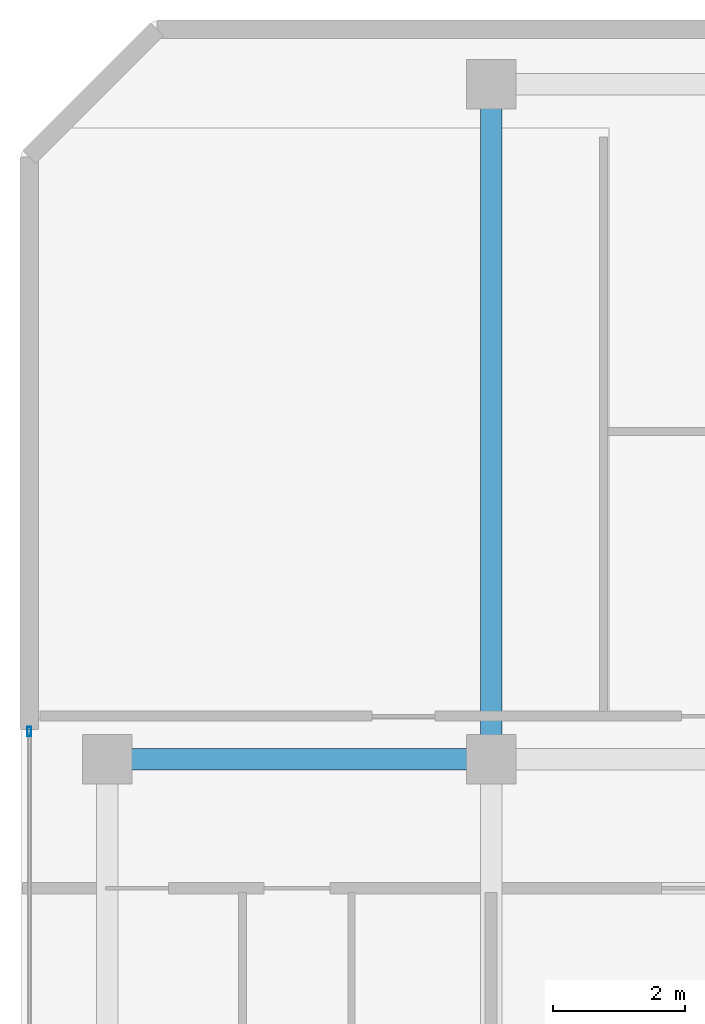
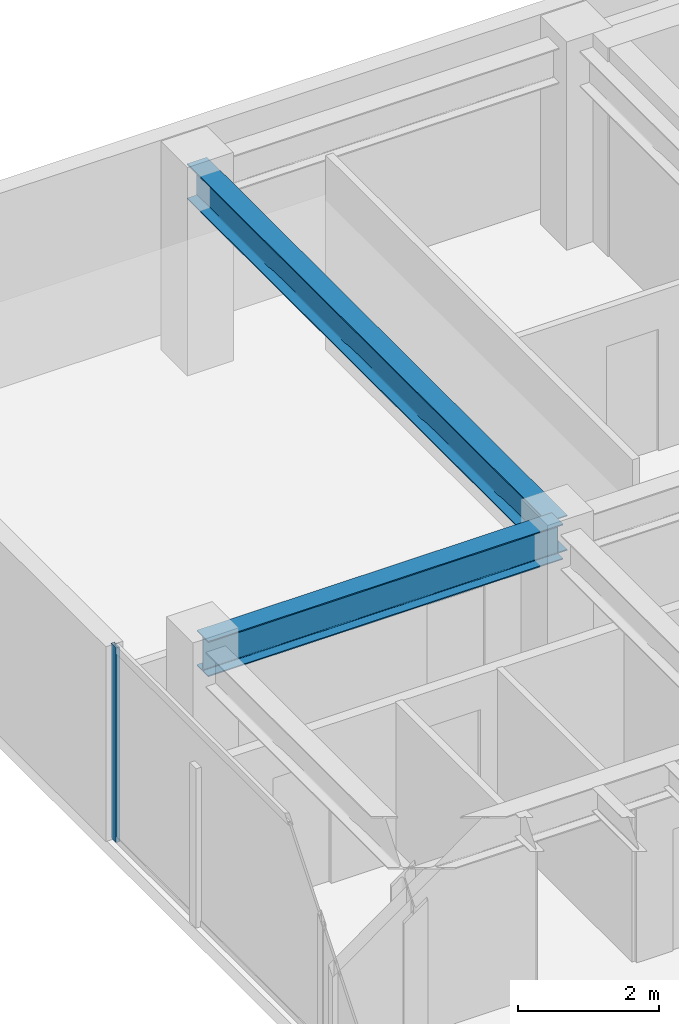
# One storey, part 10 of 17: 2 beams, 1 member, 1 element without a shape of its own.
"""IFC4 building model written with IfcOpenShell, lengths in metres."""

from ifc_helpers import new_model, si_unit, direction, frame, origin, origin_2d, place, context, subcontext, project, spatial, hollow_rectangle, i_section, extrude, material, layer, layer_set, material_profile, profile_set, type_object, element, aggregate, save


model = new_model("IFC4")

# Units and contexts
model_context = context("Model", 3, precision=1e-05, world=origin(), true_north=direction((0.0, 1.0)))
body_context = subcontext(model_context, "Body", "Model", "MODEL_VIEW")
ifc_project = project(units=[si_unit("LENGTHUNIT", "METRE"), si_unit("AREAUNIT", "SQUARE_METRE"), si_unit("VOLUMEUNIT", "CUBIC_METRE"), si_unit("PLANEANGLEUNIT", "RADIAN"), si_unit("MASSUNIT", "GRAM", prefix="KILO")], contexts=[model_context])

# Site, building, storey
site_placement = place(None, origin())
site = spatial("IfcSite", under=ifc_project, at=site_placement, CompositionType="ELEMENT")
building_placement = place(site_placement, origin())
building = spatial("IfcBuilding", under=site, at=building_placement, Name="Kravanh Interchange Tower", CompositionType="ELEMENT")
storey_placement = place(building_placement, frame((0.0, 0.0, 285.89990234375)))
storey = spatial("IfcBuildingStorey", under=building, at=storey_placement, Name="L70", CompositionType="ELEMENT", Elevation=285.89990234375)

# Curtain wall, member
ifc_material_1 = material(Name="Anodised Bronze Aluminium", Category="aluminium")
ifc_layer = layer(ifc_material_1, 0.179931640625)
ifc_layer_set = layer_set([ifc_layer], Name="Unitised Curtain Wall System CW-HTL Luxury Hotel")
curtain_wall_type = type_object("IfcCurtainWallType", Name="Unitised Curtain Wall System CW-HTL Luxury Hotel", PredefinedType="NOTDEFINED", material=ifc_layer_set)
curtain_wall_placement = place(storey_placement, origin())
curtain_wall = element("IfcCurtainWall", 1, at=curtain_wall_placement, inside=storey, type_object=curtain_wall_type, Name="L70 Unitised Curtain Wall CW-L70-01", PredefinedType="NOTDEFINED")
ifc_material_2 = material(Name="Anodised Bronze Aluminium", Category="aluminium")
ifc_material_profile_1 = material_profile(ifc_material_2, hollow_rectangle(XDim=0.06005859375, YDim=0.139892578125, WallThickness=0.00390625, at=origin_2d()), Name="ALU60X140X4")
ifc_profile_set_1 = profile_set([ifc_material_profile_1], Name="Anodised Bronze Aluminium")
member_type = type_object("IfcMemberType", Name="Curtain Wall Mullion ALU60X140X4 Bronze", PredefinedType="MULLION", material=ifc_profile_set_1)
member_placement = place(storey_placement, frame((31.6201171875, 37.77001953125, 0.0), z_axis=(0.0, 0.0, 1.0), x_axis=(-1.0, 0.0, 0.0)))
member = element("IfcMember", 2, at=member_placement, type_object=member_type, Name="CW-HTL mullion 4", PredefinedType="MULLION", context=body_context, shape_type="SweptSolid", body=[
    extrude(hollow_rectangle(XDim=0.06005859375, YDim=0.139892578125, WallThickness=0.00390625, at=origin_2d()), origin(), (0.0, 0.0, 1.0), 3.364990234375),
])
aggregate(curtain_wall, [member])

# Beams
ifc_material_3 = material(Name="Structural Steel S355", Category="steel")
ifc_material_profile_2 = material_profile(ifc_material_3, i_section(OverallWidth=0.323974609375, OverallDepth=0.611083984375, WebThickness=0.0126953125, FlangeThickness=0.01904296875, FilletRadius=0.02197265625, at=origin_2d()), Name="W24X104")
ifc_profile_set_2 = profile_set([ifc_material_profile_2], Name="Structural Steel S355")
beam_type = type_object("IfcBeamType", Name="Floor Beam W24X104 Structural Steel S355", PredefinedType="BEAM", material=ifc_profile_set_2)
beam_1_placement = place(storey_placement, frame((38.60009765625, 37.35009765625, 3.0595703125), z_axis=(-1.0, 0.0, 0.0), x_axis=(0.0, -1.0, 0.0)))
element("IfcBeam", 3, at=beam_1_placement, inside=storey, type_object=beam_type, Name="L70 Primary Floor Girder 46", PredefinedType="BEAM", context=body_context, shape_type="SweptSolid", body=[
    extrude(i_section(OverallWidth=0.323974609375, OverallDepth=0.611083984375, WebThickness=0.0126953125, FlangeThickness=0.01904296875, FilletRadius=0.02197265625, at=origin_2d()), origin(), (0.0, 0.0, 1.0), 5.800048828125),
])
beam_2_placement = place(storey_placement, frame((38.60009765625, 37.35009765625, 3.0595703125), z_axis=(0.0, 1.0, 0.0), x_axis=(-1.0, 0.0, 0.0)))
element("IfcBeam", 4, at=beam_2_placement, inside=storey, type_object=beam_type, Name="L70 Primary Floor Girder 47", PredefinedType="BEAM", context=body_context, shape_type="SweptSolid", body=[
    extrude(i_section(OverallWidth=0.323974609375, OverallDepth=0.611083984375, WebThickness=0.0126953125, FlangeThickness=0.01904296875, FilletRadius=0.02197265625, at=origin_2d()), origin(), (0.0, 0.0, 1.0), 10.199951171875),
])

save(model, "model.ifc")
